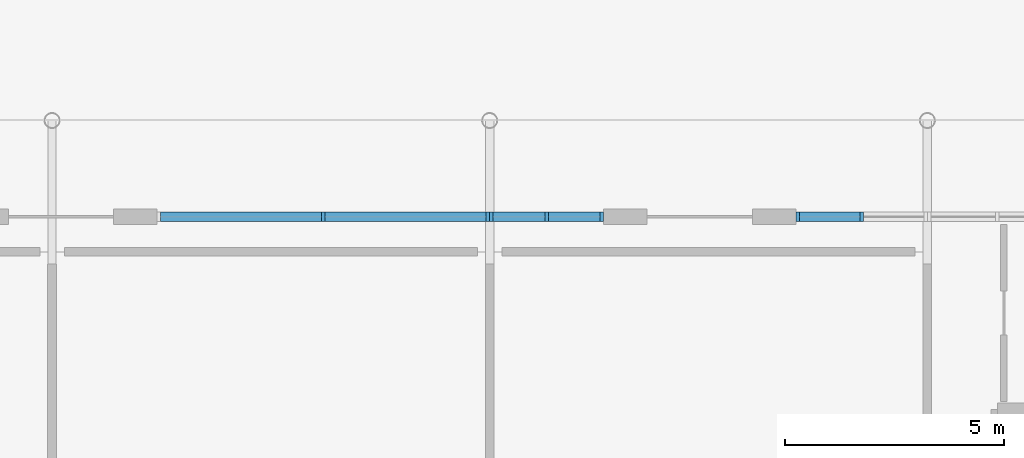
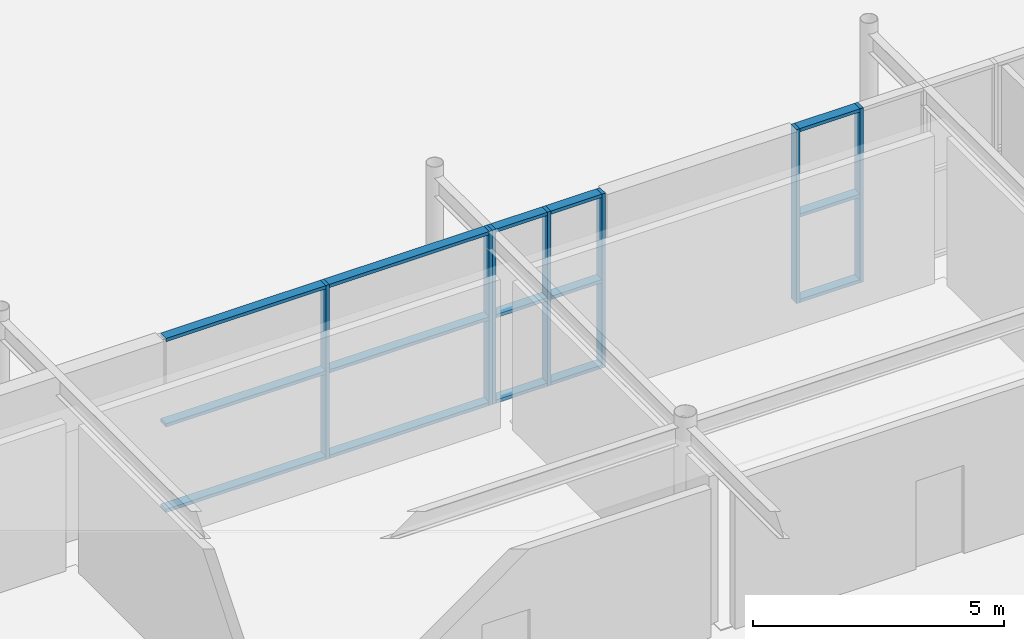
# One storey, part 61 of 119: 22 members, 3 elements without a shape of their own.
"""IFC4 building model written with IfcOpenShell, lengths in metres."""

from ifc_helpers import new_model, si_unit, derived_unit, direction, frame, origin, origin_2d_with_axis, place, context, subcontext, project, spatial, rectangle, extrude, material, material_profile, profile_set, type_object, element, aggregate, save


model = new_model("IFC4")

# Units and contexts
model_context = context("Model", 3, precision=1e-05, world=origin(), true_north=direction((0.0, 1.0)))
body_context = subcontext(model_context, "Body", "Model", "MODEL_VIEW")
ifc_project = project(units=[si_unit("LENGTHUNIT", "METRE"), si_unit("AREAUNIT", "SQUARE_METRE"), si_unit("VOLUMEUNIT", "CUBIC_METRE"), si_unit("PLANEANGLEUNIT", "RADIAN"), si_unit("MASSUNIT", "GRAM", prefix="KILO"), derived_unit("THERMALTRANSMITTANCEUNIT", [(si_unit("POWERUNIT", "WATT"), 1), (si_unit("LENGTHUNIT", "METRE"), -2), (si_unit("THERMODYNAMICTEMPERATUREUNIT", "KELVIN"), -1)])], contexts=[model_context])

# Site, building, storey
site_placement = place(None, origin())
site = spatial("IfcSite", under=ifc_project, at=site_placement, CompositionType="ELEMENT")
building_placement = place(site_placement, origin())
building = spatial("IfcBuilding", under=site, at=building_placement, Name="Cinnabar Yard Market Hall", CompositionType="ELEMENT")
storey_placement = place(building_placement, origin())
storey = spatial("IfcBuildingStorey", under=building, at=storey_placement, Name="L00", CompositionType="ELEMENT", Elevation=0.0)

# Curtain wall, members
ifc_material_1 = material(Name="Anodised bronze aluminium and low-E glass", Category="aluminium")
curtain_wall_type_1 = type_object("IfcCurtainWallType", Name="CW-CWH076x42", PredefinedType="NOTDEFINED", material=ifc_material_1)
curtain_wall_1_placement = place(storey_placement, origin())
curtain_wall_1 = element("IfcCurtainWall", 1, at=curtain_wall_1_placement, inside=storey, type_object=curtain_wall_type_1, Name="Market Hall North Ground Glazing B4", PredefinedType="NOTDEFINED")
ifc_material_2 = material(Name="Anodised bronze aluminium", Category="aluminium")
ifc_material_profile_1 = material_profile(ifc_material_2, rectangle(XDim=0.219970703125, YDim=0.080078125, at=origin_2d_with_axis()), Name="MUL-CWH")
ifc_profile_set_1 = profile_set([ifc_material_profile_1], Name="Anodised bronze aluminium")
member_type_1 = type_object("IfcMemberType", Name="CWM-CWH", PredefinedType="MULLION", material=ifc_profile_set_1)
member_1_placement = place(storey_placement, frame((125.9599609375, 71.800048828125, 0.0), z_axis=(0.0, 0.0, 1.0), x_axis=(0.0, -1.0, 0.0)))
member_1 = element("IfcMember", 2, at=member_1_placement, type_object=member_type_1, Name="CWH076x42 mullion 1", PredefinedType="MULLION", context=body_context, shape_type="SweptSolid", body=[
    extrude(rectangle(XDim=0.219970703125, YDim=0.080078125, at=origin_2d_with_axis()), origin(), (0.0, 0.0, 1.0), 4.239990234375),
])
member_2_placement = place(storey_placement, frame((122.199951171875, 71.800048828125, 0.0), z_axis=(0.0, 0.0, 1.0), x_axis=(0.0, -1.0, 0.0)))
member_2 = element("IfcMember", 3, at=member_2_placement, type_object=member_type_1, Name="CWH076x42 mullion 2", PredefinedType="MULLION", context=body_context, shape_type="SweptSolid", body=[
    extrude(rectangle(XDim=0.219970703125, YDim=0.080078125, at=origin_2d_with_axis()), origin(), (0.0, 0.0, 1.0), 4.239990234375),
])

curtain_wall_type_2 = type_object("IfcCurtainWallType", Name="CW-CWH026x42", PredefinedType="NOTDEFINED", material=ifc_material_1)
curtain_wall_2_placement = place(storey_placement, origin())
curtain_wall_2 = element("IfcCurtainWall", 4, at=curtain_wall_2_placement, inside=storey, type_object=curtain_wall_type_2, Name="Market Hall North Ground Glazing B5A", PredefinedType="NOTDEFINED")
member_3_placement = place(storey_placement, frame((128.56005859375, 71.800048828125, 0.0), z_axis=(0.0, 0.0, 1.0), x_axis=(0.0, -1.0, 0.0)))
member_3 = element("IfcMember", 5, at=member_3_placement, type_object=member_type_1, Name="CWH026x42 mullion 1", PredefinedType="MULLION", context=body_context, shape_type="SweptSolid", body=[
    extrude(rectangle(XDim=0.219970703125, YDim=0.080078125, at=origin_2d_with_axis()), origin(), (0.0, 0.0, 1.0), 4.239990234375),
])
member_4_placement = place(storey_placement, frame((127.300048828125, 71.800048828125, 0.0), z_axis=(0.0, 0.0, 1.0), x_axis=(0.0, -1.0, 0.0)))
member_4 = element("IfcMember", 6, at=member_4_placement, type_object=member_type_1, Name="CWH026x42 mullion 2", PredefinedType="MULLION", context=body_context, shape_type="SweptSolid", body=[
    extrude(rectangle(XDim=0.219970703125, YDim=0.080078125, at=origin_2d_with_axis()), origin(), (0.0, 0.0, 1.0), 4.239990234375),
])
member_5_placement = place(storey_placement, frame((126.0400390625, 71.800048828125, 0.0), z_axis=(0.0, 0.0, 1.0), x_axis=(0.0, -1.0, 0.0)))
member_5 = element("IfcMember", 7, at=member_5_placement, type_object=member_type_1, Name="CWH026x42 mullion 3", PredefinedType="MULLION", context=body_context, shape_type="SweptSolid", body=[
    extrude(rectangle(XDim=0.219970703125, YDim=0.080078125, at=origin_2d_with_axis()), origin(), (0.0, 0.0, 1.0), 4.239990234375),
])

curtain_wall_type_3 = type_object("IfcCurtainWallType", Name="CW-CWH030x42", PredefinedType="NOTDEFINED", material=ifc_material_1)
curtain_wall_3_placement = place(storey_placement, origin())
curtain_wall_3 = element("IfcCurtainWall", 8, at=curtain_wall_3_placement, inside=storey, type_object=curtain_wall_type_3, Name="Market Hall North Ground Glazing B5B", PredefinedType="NOTDEFINED")
member_6_placement = place(storey_placement, frame((134.5, 71.800048828125, 0.0), z_axis=(0.0, 0.0, 1.0), x_axis=(0.0, -1.0, 0.0)))
member_6 = element("IfcMember", 9, at=member_6_placement, type_object=member_type_1, Name="CWH030x42 mullion 2", PredefinedType="MULLION", context=body_context, shape_type="SweptSolid", body=[
    extrude(rectangle(XDim=0.219970703125, YDim=0.080078125, at=origin_2d_with_axis()), origin(), (0.0, 0.0, 1.0), 4.239990234375),
])
member_7_placement = place(storey_placement, frame((133.0400390625, 71.800048828125, 0.0), z_axis=(0.0, 0.0, 1.0), x_axis=(0.0, -1.0, 0.0)))
member_7 = element("IfcMember", 10, at=member_7_placement, type_object=member_type_1, Name="CWH030x42 mullion 3", PredefinedType="MULLION", context=body_context, shape_type="SweptSolid", body=[
    extrude(rectangle(XDim=0.219970703125, YDim=0.080078125, at=origin_2d_with_axis()), origin(), (0.0, 0.0, 1.0), 4.239990234375),
])

# Member
ifc_material_profile_2 = material_profile(ifc_material_2, rectangle(XDim=0.219970703125, YDim=0.080078125, at=origin_2d_with_axis()), Name="TRN-CWH")
ifc_profile_set_2 = profile_set([ifc_material_profile_2], Name="Anodised bronze aluminium")
member_type_2 = type_object("IfcMemberType", Name="CWT-CWH", PredefinedType="USERDEFINED", material=ifc_profile_set_2)
member_8_placement = place(storey_placement, frame((125.919921875, 71.800048828125, 0.0400390625), z_axis=(-1.0, 0.0, 0.0), x_axis=(0.0, -1.0, 0.0)))
member_8 = element("IfcMember", 11, at=member_8_placement, type_object=member_type_2, Name="CWH076x42 transom 1.1", ObjectType="TRANSOM", PredefinedType="USERDEFINED", context=body_context, shape_type="SweptSolid", body=[
    extrude(rectangle(XDim=0.219970703125, YDim=0.080078125, at=origin_2d_with_axis()), origin(), (0.0, 0.0, 1.0), 3.679931640625),
])

member_9_placement = place(storey_placement, frame((125.919921875, 71.800048828125, 2.1201171875), z_axis=(-1.0, 0.0, 0.0), x_axis=(0.0, -1.0, 0.0)))
member_9 = element("IfcMember", 12, at=member_9_placement, type_object=member_type_2, Name="CWH076x42 transom 1.2", ObjectType="TRANSOM", PredefinedType="USERDEFINED", context=body_context, shape_type="SweptSolid", body=[
    extrude(rectangle(XDim=0.219970703125, YDim=0.080078125, at=origin_2d_with_axis()), origin(), (0.0, 0.0, 1.0), 3.679931640625),
])

member_10_placement = place(storey_placement, frame((125.919921875, 71.800048828125, 4.199951171875), z_axis=(-1.0, 0.0, 0.0), x_axis=(0.0, -1.0, 0.0)))
member_10 = element("IfcMember", 13, at=member_10_placement, type_object=member_type_2, Name="CWH076x42 transom 1.3", ObjectType="TRANSOM", PredefinedType="USERDEFINED", context=body_context, shape_type="SweptSolid", body=[
    extrude(rectangle(XDim=0.219970703125, YDim=0.080078125, at=origin_2d_with_axis()), origin(), (0.0, 0.0, 1.0), 3.679931640625),
])

member_11_placement = place(storey_placement, frame((122.159912109375, 71.800048828125, 0.0400390625), z_axis=(-1.0, 0.0, 0.0), x_axis=(0.0, -1.0, 0.0)))
member_11 = element("IfcMember", 14, at=member_11_placement, type_object=member_type_2, Name="CWH076x42 transom 2.1", ObjectType="TRANSOM", PredefinedType="USERDEFINED", context=body_context, shape_type="SweptSolid", body=[
    extrude(rectangle(XDim=0.219970703125, YDim=0.080078125, at=origin_2d_with_axis()), origin(), (0.0, 0.0, 1.0), 3.679931640625),
])

member_12_placement = place(storey_placement, frame((122.159912109375, 71.800048828125, 2.1201171875), z_axis=(-1.0, 0.0, 0.0), x_axis=(0.0, -1.0, 0.0)))
member_12 = element("IfcMember", 15, at=member_12_placement, type_object=member_type_2, Name="CWH076x42 transom 2.2", ObjectType="TRANSOM", PredefinedType="USERDEFINED", context=body_context, shape_type="SweptSolid", body=[
    extrude(rectangle(XDim=0.219970703125, YDim=0.080078125, at=origin_2d_with_axis()), origin(), (0.0, 0.0, 1.0), 3.679931640625),
])

member_13_placement = place(storey_placement, frame((122.159912109375, 71.800048828125, 4.199951171875), z_axis=(-1.0, 0.0, 0.0), x_axis=(0.0, -1.0, 0.0)))
member_13 = element("IfcMember", 16, at=member_13_placement, type_object=member_type_2, Name="CWH076x42 transom 2.3", ObjectType="TRANSOM", PredefinedType="USERDEFINED", context=body_context, shape_type="SweptSolid", body=[
    extrude(rectangle(XDim=0.219970703125, YDim=0.080078125, at=origin_2d_with_axis()), origin(), (0.0, 0.0, 1.0), 3.679931640625),
])

aggregate(curtain_wall_1, [member_1, member_2, member_8, member_9, member_10, member_11, member_12, member_13])

member_14_placement = place(storey_placement, frame((128.52001953125, 71.800048828125, 0.0400390625), z_axis=(-1.0, 0.0, 0.0), x_axis=(0.0, -1.0, 0.0)))
member_14 = element("IfcMember", 17, at=member_14_placement, type_object=member_type_2, Name="CWH026x42 transom 1.1", ObjectType="TRANSOM", PredefinedType="USERDEFINED", context=body_context, shape_type="SweptSolid", body=[
    extrude(rectangle(XDim=0.219970703125, YDim=0.080078125, at=origin_2d_with_axis()), origin(), (0.0, 0.0, 1.0), 1.179931640625),
])

member_15_placement = place(storey_placement, frame((128.52001953125, 71.800048828125, 2.1201171875), z_axis=(-1.0, 0.0, 0.0), x_axis=(0.0, -1.0, 0.0)))
member_15 = element("IfcMember", 18, at=member_15_placement, type_object=member_type_2, Name="CWH026x42 transom 1.2", ObjectType="TRANSOM", PredefinedType="USERDEFINED", context=body_context, shape_type="SweptSolid", body=[
    extrude(rectangle(XDim=0.219970703125, YDim=0.080078125, at=origin_2d_with_axis()), origin(), (0.0, 0.0, 1.0), 1.179931640625),
])

member_16_placement = place(storey_placement, frame((128.52001953125, 71.800048828125, 4.199951171875), z_axis=(-1.0, 0.0, 0.0), x_axis=(0.0, -1.0, 0.0)))
member_16 = element("IfcMember", 19, at=member_16_placement, type_object=member_type_2, Name="CWH026x42 transom 1.3", ObjectType="TRANSOM", PredefinedType="USERDEFINED", context=body_context, shape_type="SweptSolid", body=[
    extrude(rectangle(XDim=0.219970703125, YDim=0.080078125, at=origin_2d_with_axis()), origin(), (0.0, 0.0, 1.0), 1.179931640625),
])

member_17_placement = place(storey_placement, frame((127.260009765625, 71.800048828125, 0.0400390625), z_axis=(-1.0, 0.0, 0.0), x_axis=(0.0, -1.0, 0.0)))
member_17 = element("IfcMember", 20, at=member_17_placement, type_object=member_type_2, Name="CWH026x42 transom 2.1", ObjectType="TRANSOM", PredefinedType="USERDEFINED", context=body_context, shape_type="SweptSolid", body=[
    extrude(rectangle(XDim=0.219970703125, YDim=0.080078125, at=origin_2d_with_axis()), origin(), (0.0, 0.0, 1.0), 1.179931640625),
])

member_18_placement = place(storey_placement, frame((127.260009765625, 71.800048828125, 2.1201171875), z_axis=(-1.0, 0.0, 0.0), x_axis=(0.0, -1.0, 0.0)))
member_18 = element("IfcMember", 21, at=member_18_placement, type_object=member_type_2, Name="CWH026x42 transom 2.2", ObjectType="TRANSOM", PredefinedType="USERDEFINED", context=body_context, shape_type="SweptSolid", body=[
    extrude(rectangle(XDim=0.219970703125, YDim=0.080078125, at=origin_2d_with_axis()), origin(), (0.0, 0.0, 1.0), 1.179931640625),
])

member_19_placement = place(storey_placement, frame((127.260009765625, 71.800048828125, 4.199951171875), z_axis=(-1.0, 0.0, 0.0), x_axis=(0.0, -1.0, 0.0)))
member_19 = element("IfcMember", 22, at=member_19_placement, type_object=member_type_2, Name="CWH026x42 transom 2.3", ObjectType="TRANSOM", PredefinedType="USERDEFINED", context=body_context, shape_type="SweptSolid", body=[
    extrude(rectangle(XDim=0.219970703125, YDim=0.080078125, at=origin_2d_with_axis()), origin(), (0.0, 0.0, 1.0), 1.179931640625),
])

aggregate(curtain_wall_2, [member_3, member_4, member_5, member_14, member_15, member_16, member_17, member_18, member_19])

member_20_placement = place(storey_placement, frame((134.4599609375, 71.800048828125, 0.0400390625), z_axis=(-1.0, 0.0, 0.0), x_axis=(0.0, -1.0, 0.0)))
member_20 = element("IfcMember", 23, at=member_20_placement, type_object=member_type_2, Name="CWH030x42 transom 2.1", ObjectType="TRANSOM", PredefinedType="USERDEFINED", context=body_context, shape_type="SweptSolid", body=[
    extrude(rectangle(XDim=0.219970703125, YDim=0.080078125, at=origin_2d_with_axis()), origin(), (0.0, 0.0, 1.0), 1.3798828125),
])

member_21_placement = place(storey_placement, frame((134.4599609375, 71.800048828125, 2.1201171875), z_axis=(-1.0, 0.0, 0.0), x_axis=(0.0, -1.0, 0.0)))
member_21 = element("IfcMember", 24, at=member_21_placement, type_object=member_type_2, Name="CWH030x42 transom 2.2", ObjectType="TRANSOM", PredefinedType="USERDEFINED", context=body_context, shape_type="SweptSolid", body=[
    extrude(rectangle(XDim=0.219970703125, YDim=0.080078125, at=origin_2d_with_axis()), origin(), (0.0, 0.0, 1.0), 1.3798828125),
])

member_22_placement = place(storey_placement, frame((134.4599609375, 71.800048828125, 4.199951171875), z_axis=(-1.0, 0.0, 0.0), x_axis=(0.0, -1.0, 0.0)))
member_22 = element("IfcMember", 25, at=member_22_placement, type_object=member_type_2, Name="CWH030x42 transom 2.3", ObjectType="TRANSOM", PredefinedType="USERDEFINED", context=body_context, shape_type="SweptSolid", body=[
    extrude(rectangle(XDim=0.219970703125, YDim=0.080078125, at=origin_2d_with_axis()), origin(), (0.0, 0.0, 1.0), 1.3798828125),
])

aggregate(curtain_wall_3, [member_6, member_7, member_20, member_21, member_22])

save(model, "model.ifc")
